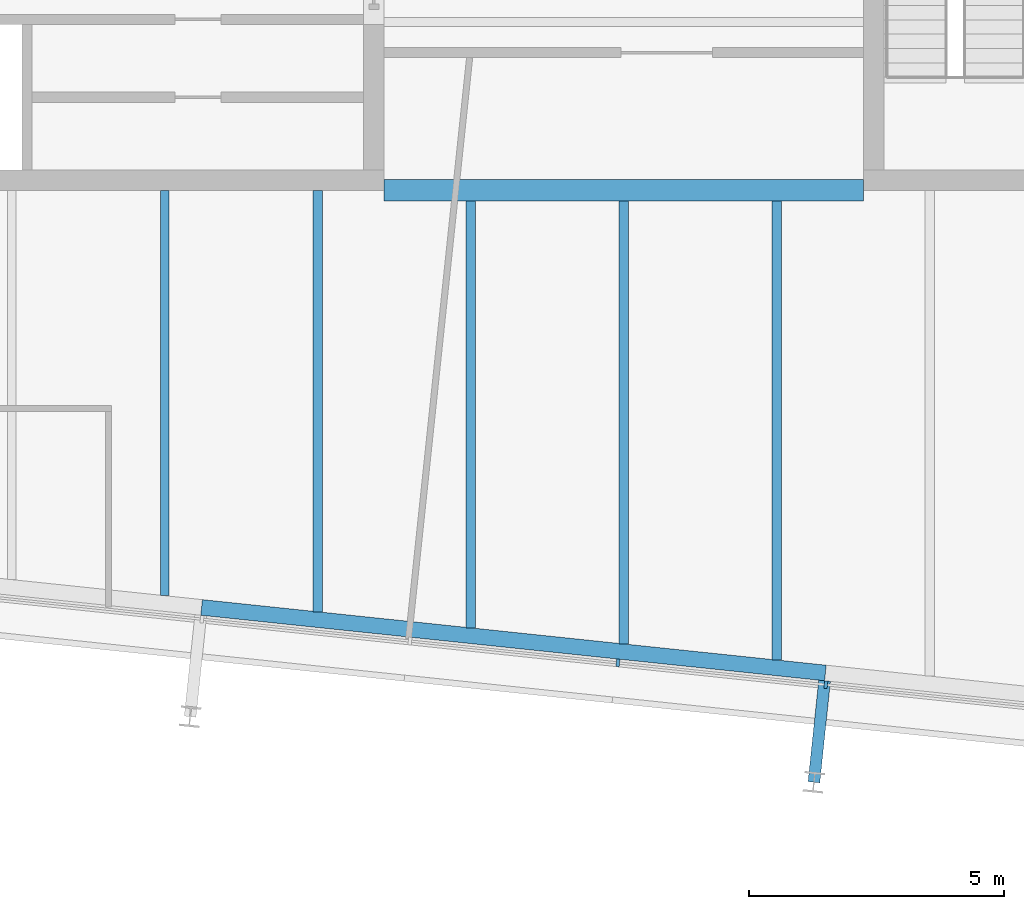
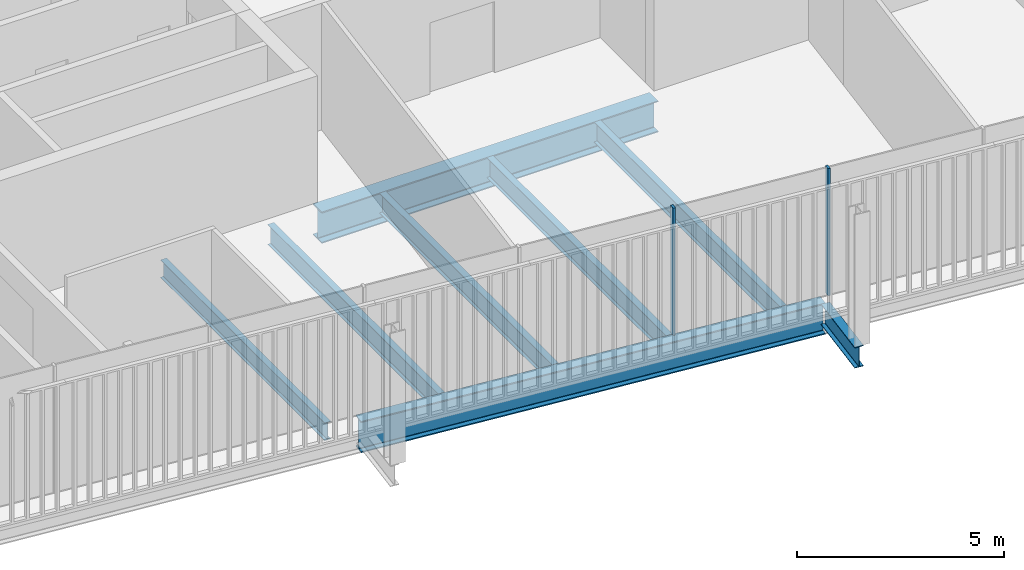
# One storey, part 5 of 20: 8 beams, 2 members, 1 element without a shape of its own.
"""IFC4 building model written with IfcOpenShell, lengths in metres."""

import ifcopenshell
import ifcopenshell.guid

model = None  # the IFC model being written
_history = None  # IfcOwnerHistory: only IFC2X3 demands one
_inside = {}  # id of a spatial element -> (the spatial element, [elements in it])
_under = {}  # id of a project, library or spatial element -> (it, [spatial elements below it])
_declared = {}  # id of a project -> (the project, [libraries it declares])
_typed = {}  # id of a type object -> (the type object, [elements of that type])
_made_of = {}  # id of a material, layer set ... -> (it, [elements and type objects made of it])


def new_model(schema):
    """Start an empty IFC model of exactly this schema.

    Asked for "IFC4X3", IfcOpenShell would pick the latest addendum, in which some entities
    have other attributes; the version numbers below select the first issue.
    IFC2X3 requires an IfcOwnerHistory on every rooted entity: one is made here for all.
    """
    global model, _history
    if schema == "IFC4X3":
        model = ifcopenshell.file(schema_version=(4, 3, 0, 0))
    else:
        model = ifcopenshell.file(schema=schema)
    _inside.clear()
    _under.clear()
    _declared.clear()
    _typed.clear()
    _made_of.clear()
    _history = None
    if model.schema == "IFC2X3":
        org = make("IfcOrganization", Name="unknown")
        user = make(
            "IfcPersonAndOrganization",
            ThePerson=make("IfcPerson", FamilyName="unknown"),
            TheOrganization=org,
        )
        app = make(
            "IfcApplication",
            ApplicationDeveloper=org,
            Version="unknown",
            ApplicationFullName="unknown",
            ApplicationIdentifier="unknown",
        )
        _history = make(
            "IfcOwnerHistory",
            OwningUser=user,
            OwningApplication=app,
            ChangeAction="ADDED",
            CreationDate=0,
        )
    return model


def make(cls, **values):
    """One entity of the class cls with the attributes given. An attribute that is None is left unset."""
    return model.create_entity(
        cls, **{name: value for name, value in values.items() if value is not None}
    )


def rooted(cls, **values):
    """An entity with a GlobalId (a new one), such as an element, a storey or a relation."""
    return make(cls, GlobalId=ifcopenshell.guid.new(), OwnerHistory=_history, **values)


def si_unit(unit_type, name, prefix=None):
    """IfcSIUnit, for example si_unit("LENGTHUNIT", "METRE", prefix="MILLI")."""
    return make("IfcSIUnit", UnitType=unit_type, Prefix=prefix, Name=name)


def assignment(units):
    """IfcUnitAssignment: the units of a project."""
    return None if units is None else make("IfcUnitAssignment", Units=units)


def point(xyz):
    """IfcCartesianPoint."""
    return None if xyz is None else make("IfcCartesianPoint", Coordinates=xyz)


def direction(xyz):
    """IfcDirection."""
    return None if xyz is None else make("IfcDirection", DirectionRatios=xyz)


def frame(location, z_axis=None, x_axis=None):
    """IfcAxis2Placement3D, a coordinate frame: its origin and axes. An axis left out is left unset."""
    return make(
        "IfcAxis2Placement3D",
        Location=point(location),
        Axis=direction(z_axis),
        RefDirection=direction(x_axis),
    )


def frame_2d(location, x_axis=None):
    """IfcAxis2Placement2D, a coordinate frame in the plane: its origin and x axis."""
    return make(
        "IfcAxis2Placement2D", Location=point(location), RefDirection=direction(x_axis)
    )


def origin():
    """The frame at (0, 0, 0) with its axes left unset."""
    return frame((0.0, 0.0, 0.0))


def origin_2d():
    """The frame at (0, 0) in the plane with its x axis left unset."""
    return frame_2d((0.0, 0.0))


def place(relative_to, where):
    """IfcLocalPlacement: puts the frame where relative to a parent placement (None: the world)."""
    return make(
        "IfcLocalPlacement", PlacementRelTo=relative_to, RelativePlacement=where
    )


def context(
    kind, dimensions, precision=None, world=None, true_north=None, identifier=None
):
    """IfcGeometricRepresentationContext, for example the 3D "Model" context."""
    return make(
        "IfcGeometricRepresentationContext",
        ContextIdentifier=identifier,
        ContextType=kind,
        CoordinateSpaceDimension=dimensions,
        Precision=precision,
        WorldCoordinateSystem=world,
        TrueNorth=true_north,
    )


def subcontext(parent, identifier, kind, view, scale=None):
    """IfcGeometricRepresentationSubContext, for example "Body" below "Model"."""
    return make(
        "IfcGeometricRepresentationSubContext",
        ContextIdentifier=identifier,
        ContextType=kind,
        ParentContext=parent,
        TargetScale=scale,
        TargetView=view,
    )


def project(units=None, contexts=None):
    """IfcProject with its units and contexts."""
    return rooted(
        "IfcProject",
        Name="project",
        RepresentationContexts=contexts,
        UnitsInContext=assignment(units),
    )


def spatial(cls, under=None, at=None, **own):
    """A site, building, storey or space (cls), placed at a placement, below another one or the project."""
    s = rooted(cls, ObjectPlacement=at, **own)
    if under is not None:
        _under.setdefault(under.id(), (under, []))[1].append(s)
    return s


def profile(cls, at=None, kind="AREA", **sizes):
    """A parametric profile (cls). Its sizes go by their IFC names, for example OverallWidth=200.0."""
    return make(cls, ProfileType=kind, Position=at, **sizes)


def rectangle(**sizes):
    """IfcRectangleProfileDef."""
    return profile("IfcRectangleProfileDef", **sizes)


def i_section(**sizes):
    """IfcIShapeProfileDef."""
    return profile("IfcIShapeProfileDef", **sizes)


def extrude(swept, where, along, depth):
    """IfcExtrudedAreaSolid: the profile swept, set in the frame where, extruded along a direction by depth."""
    return make(
        "IfcExtrudedAreaSolid",
        SweptArea=swept,
        Position=where,
        ExtrudedDirection=direction(along),
        Depth=depth,
    )


def shape(context_of_items, identifier, shape_type, items):
    """IfcShapeRepresentation: the items that make up one representation, for example the "Body"."""
    return make(
        "IfcShapeRepresentation",
        ContextOfItems=context_of_items,
        RepresentationIdentifier=identifier,
        RepresentationType=shape_type,
        Items=items,
    )


def material(Name=None, Category=None):
    """IfcMaterial."""
    return make("IfcMaterial", Name=Name, Category=Category)


def layer(
    of_material, thickness, ventilated=None, Name=None, Category=None, Priority=None
):
    """IfcMaterialLayer: one layer of a wall or slab, of a material (None: an air gap)."""
    return make(
        "IfcMaterialLayer",
        Material=of_material,
        LayerThickness=thickness,
        IsVentilated=ventilated,
        Name=Name,
        Category=Category,
        Priority=Priority,
    )


def layer_set(layers, Name=None):
    """IfcMaterialLayerSet."""
    return make("IfcMaterialLayerSet", MaterialLayers=layers, LayerSetName=Name)


def material_profile(
    of_material, cross_section, Name=None, Category=None, Priority=None
):
    """IfcMaterialProfile: a cross section and its material."""
    return make(
        "IfcMaterialProfile",
        Name=Name,
        Material=of_material,
        Profile=cross_section,
        Priority=Priority,
        Category=Category,
    )


def profile_set(profiles, Name=None, composite=None):
    """IfcMaterialProfileSet."""
    return make(
        "IfcMaterialProfileSet",
        Name=Name,
        MaterialProfiles=profiles,
        CompositeProfile=composite,
    )


def made_of(thing, what):
    """Note that an element or type object is made of a material, layer set ...; save() writes the relation."""
    if what is not None:
        _made_of.setdefault(what.id(), (what, []))[1].append(thing)
    return thing


def type_object(cls, material=None, **own):
    """A type object (cls), such as IfcWallType, which elements share."""
    return made_of(rooted(cls, **own), material)


def element(
    cls,
    number,
    at=None,
    inside=None,
    cuts=None,
    type_object=None,
    material=None,
    context=None,
    identifier="Body",
    shape_type=None,
    held_by="IfcProductDefinitionShape",
    body=None,
    shapes=None,
    **own,
):
    """One element of the class cls, such as IfcWall. Its Tag is "e" and its number.

    at: its placement. inside: the storey or other place that contains it. cuts: it is an
    opening in that element (IfcRelVoidsElement). A single representation is given by context,
    identifier, shape_type and body (its items); several are given by shapes. held_by: the class
    of the entity that holds the representations. save() writes the other relations.
    """
    e = rooted(cls, Tag="e%d" % number, ObjectPlacement=at, **own)
    if body is not None:
        shapes = [shape(context, identifier, shape_type, body)]
    if shapes is not None:
        e.Representation = make(held_by, Representations=shapes)
    if inside is not None:
        _inside.setdefault(inside.id(), (inside, []))[1].append(e)
    if cuts is not None:
        rooted(
            "IfcRelVoidsElement", RelatingBuildingElement=cuts, RelatedOpeningElement=e
        )
    if type_object is not None:
        _typed.setdefault(type_object.id(), (type_object, []))[1].append(e)
    return made_of(e, material)


def aggregate(whole, parts):
    """IfcRelAggregates: a whole, such as a stair, and the parts it consists of."""
    return rooted("IfcRelAggregates", RelatingObject=whole, RelatedObjects=parts)


def save(model, path):
    """Write the relations noted so far, then the file.

    IfcRelAggregates (storeys below a building ...), IfcRelContainedInSpatialStructure (elements
    in a storey), IfcRelDefinesByType, IfcRelAssociatesMaterial and IfcRelDeclares: one each for
    every whole, place, type object, material and project.
    """
    for whole, parts in _under.values():
        aggregate(whole, parts)
    for where, things in _inside.values():
        rooted(
            "IfcRelContainedInSpatialStructure",
            RelatedElements=things,
            RelatingStructure=where,
        )
    for kind, things in _typed.values():
        rooted("IfcRelDefinesByType", RelatedObjects=things, RelatingType=kind)
    for what, things in _made_of.values():
        rooted("IfcRelAssociatesMaterial", RelatedObjects=things, RelatingMaterial=what)
    for by, libraries in _declared.values():
        rooted("IfcRelDeclares", RelatingContext=by, RelatedDefinitions=libraries)
    model.write(path)


model = new_model("IFC4")

# Units and contexts
model_context = context("Model", 3, precision=1e-05, world=origin(), true_north=direction((0.0, 1.0)))
body_context = subcontext(model_context, "Body", "Model", "MODEL_VIEW")
ifc_project = project(units=[si_unit("LENGTHUNIT", "METRE"), si_unit("AREAUNIT", "SQUARE_METRE"), si_unit("VOLUMEUNIT", "CUBIC_METRE"), si_unit("PLANEANGLEUNIT", "RADIAN"), si_unit("MASSUNIT", "GRAM", prefix="KILO")], contexts=[model_context])

# Site, building, storey
site_placement = place(None, origin())
site = spatial("IfcSite", under=ifc_project, at=site_placement, CompositionType="ELEMENT")
building_placement = place(site_placement, origin())
building = spatial("IfcBuilding", under=site, at=building_placement, Name="Millrace Tower", CompositionType="ELEMENT")
storey_placement = place(building_placement, frame((0.0, 0.0, 303.300048828125)))
storey = spatial("IfcBuildingStorey", under=building, at=storey_placement, Name="L70", CompositionType="ELEMENT", Elevation=303.300048828125)

# Curtain wall, members
ifc_material_1 = material(Name="Aluminium and glass", Category="aluminium")
ifc_layer = layer(ifc_material_1, 0.14990234375)
ifc_layer_set = layer_set([ifc_layer], Name="Aluminium and glass")
curtain_wall_type = type_object("IfcCurtainWallType", Name="CW-1 office vision curtain wall", PredefinedType="NOTDEFINED", material=ifc_layer_set)
curtain_wall_placement = place(storey_placement, origin())
curtain_wall = element("IfcCurtainWall", 1, at=curtain_wall_placement, inside=storey, type_object=curtain_wall_type, Name="Curtain wall E-F02 L70", PredefinedType="NOTDEFINED")
ifc_material_2 = material(Name="Aluminium", Category="aluminium")
ifc_material_profile_1 = material_profile(ifc_material_2, rectangle(XDim=0.06494140625, YDim=0.14990234375, at=origin_2d()))
ifc_profile_set_1 = profile_set([ifc_material_profile_1], Name="Aluminium")
member_type = type_object("IfcMemberType", Name="CW-1 office vision curtain wall mullion", PredefinedType="MULLION", material=ifc_profile_set_1)
member_1_placement = place(storey_placement, frame((-0.11474609375, -18.567626953125, 0.139892578125), z_axis=(0.0, 0.0, 1.0), x_axis=(0.994521896217, -0.104528455196, 0.0)))
member_1 = element("IfcMember", 2, at=member_1_placement, type_object=member_type, Name="CW1 mullion E-F02.6", PredefinedType="MULLION", context=body_context, shape_type="SweptSolid", body=[
    extrude(rectangle(XDim=0.06494140625, YDim=0.14990234375, at=origin_2d()), origin(), (0.0, 0.0, 1.0), 3.760009765625),
])
member_2_placement = place(storey_placement, frame((3.962890625, -18.99609375, 0.139892578125), z_axis=(0.0, 0.0, 1.0), x_axis=(0.994521896217, -0.104528455196, 0.0)))
member_2 = element("IfcMember", 3, at=member_2_placement, type_object=member_type, Name="CW1 mullion E-F02.7", PredefinedType="MULLION", context=body_context, shape_type="SweptSolid", body=[
    extrude(rectangle(XDim=0.06494140625, YDim=0.14990234375, at=origin_2d()), origin(), (0.0, 0.0, 1.0), 3.760009765625),
])
aggregate(curtain_wall, [member_1, member_2])

# Beams
ifc_material_3 = material(Name="Steel ASTM A992 Grade 50", Category="steel")
ifc_material_profile_2 = material_profile(ifc_material_3, i_section(OverallWidth=0.1650390625, OverallDepth=0.52587890625, WebThickness=0.0087890625, FlangeThickness=0.011474609375, FilletRadius=0.0126953125, at=origin_2d()))
ifc_profile_set_2 = profile_set([ifc_material_profile_2], Name="Steel ASTM A992 Grade 50")
beam_type_1 = type_object("IfcBeamType", Name="Floor beam W21x44", PredefinedType="JOIST", material=ifc_profile_set_2)
beam_1_placement = place(storey_placement, frame((-9.0, -17.249267578125, -0.4228515625), z_axis=(0.0, 1.0, 0.0), x_axis=(-1.0, 0.0, 0.0)))
element("IfcBeam", 4, at=beam_1_placement, inside=storey, type_object=beam_type_1, Name="BM-E-L70-S1-S039", PredefinedType="JOIST", context=body_context, shape_type="SweptSolid", body=[
    extrude(i_section(OverallWidth=0.1650390625, OverallDepth=0.52587890625, WebThickness=0.0087890625, FlangeThickness=0.011474609375, FilletRadius=0.0126953125, at=origin_2d()), origin(), (0.0, 0.0, 1.0), 7.94921875),
])
ifc_material_4 = material(Name="Steel ASTM A992 Grade 50", Category="steel")
ifc_material_profile_3 = material_profile(ifc_material_4, i_section(OverallWidth=0.177978515625, OverallDepth=0.599365234375, WebThickness=0.010009765625, FlangeThickness=0.012939453125, FilletRadius=0.012939453125, at=origin_2d()))
ifc_profile_set_3 = profile_set([ifc_material_profile_3], Name="Steel ASTM A992 Grade 50")
beam_type_2 = type_object("IfcBeamType", Name="Floor beam W24x55", PredefinedType="JOIST", material=ifc_profile_set_3)
beam_2_placement = place(storey_placement, frame((-6.0, -17.564697265625, -0.459716796875), z_axis=(0.0, 1.0, 0.0), x_axis=(-1.0, 0.0, 0.0)))
element("IfcBeam", 5, at=beam_2_placement, inside=storey, type_object=beam_type_2, Name="BM-E-L70-S1-S041", PredefinedType="JOIST", context=body_context, shape_type="SweptSolid", body=[
    extrude(i_section(OverallWidth=0.177978515625, OverallDepth=0.599365234375, WebThickness=0.010009765625, FlangeThickness=0.012939453125, FilletRadius=0.012939453125, at=origin_2d()), origin(), (0.0, 0.0, 1.0), 8.2646484375),
])
beam_3_placement = place(storey_placement, frame((-3.0, -17.8798828125, -0.459716796875), z_axis=(0.0, 1.0, 0.0), x_axis=(-1.0, 0.0, 0.0)))
element("IfcBeam", 6, at=beam_3_placement, inside=storey, type_object=beam_type_2, Name="BM-E-L70-S1-S043", PredefinedType="JOIST", context=body_context, shape_type="SweptSolid", body=[
    extrude(i_section(OverallWidth=0.177978515625, OverallDepth=0.599365234375, WebThickness=0.010009765625, FlangeThickness=0.012939453125, FilletRadius=0.012939453125, at=origin_2d()), origin(), (0.0, 0.0, 1.0), 8.370361328125),
])
beam_4_placement = place(storey_placement, frame((0.0, -18.1953125, -0.459716796875), z_axis=(0.0, 1.0, 0.0), x_axis=(-1.0, 0.0, 0.0)))
element("IfcBeam", 7, at=beam_4_placement, inside=storey, type_object=beam_type_2, Name="BM-E-L70-S1-S045", PredefinedType="JOIST", context=body_context, shape_type="SweptSolid", body=[
    extrude(i_section(OverallWidth=0.177978515625, OverallDepth=0.599365234375, WebThickness=0.010009765625, FlangeThickness=0.012939453125, FilletRadius=0.012939453125, at=origin_2d()), origin(), (0.0, 0.0, 1.0), 8.685791015625),
])
beam_5_placement = place(storey_placement, frame((3.0, -18.510498046875, -0.459716796875), z_axis=(0.0, 1.0, 0.0), x_axis=(-1.0, 0.0, 0.0)))
element("IfcBeam", 8, at=beam_5_placement, inside=storey, type_object=beam_type_2, Name="BM-E-L70-S1-S047", PredefinedType="JOIST", context=body_context, shape_type="SweptSolid", body=[
    extrude(i_section(OverallWidth=0.177978515625, OverallDepth=0.599365234375, WebThickness=0.010009765625, FlangeThickness=0.012939453125, FilletRadius=0.012939453125, at=origin_2d()), origin(), (0.0, 0.0, 1.0), 9.0009765625),
])
ifc_material_5 = material(Name="Steel ASTM A992 Grade 50", Category="steel")
ifc_material_profile_4 = material_profile(ifc_material_5, i_section(OverallWidth=0.419189453125, OverallDepth=0.927001953125, WebThickness=0.019287109375, FlangeThickness=0.031982421875, FilletRadius=0.024169921875, at=origin_2d()))
ifc_profile_set_4 = profile_set([ifc_material_profile_4], Name="Steel ASTM A992 Grade 50")
beam_type_3 = type_object("IfcBeamType", Name="Girder short span W36x231", PredefinedType="BEAM", material=ifc_profile_set_4)
beam_6_placement = place(storey_placement, frame((-4.699951171875, -9.300048828125, -0.62353515625), z_axis=(1.0, 0.0, 0.0), x_axis=(0.0, 1.0, 0.0)))
element("IfcBeam", 9, at=beam_6_placement, inside=storey, type_object=beam_type_3, Name="BM-E-L70-S1-G059", PredefinedType="BEAM", context=body_context, shape_type="SweptSolid", body=[
    extrude(i_section(OverallWidth=0.419189453125, OverallDepth=0.927001953125, WebThickness=0.019287109375, FlangeThickness=0.031982421875, FilletRadius=0.024169921875, at=origin_2d()), origin(), (0.0, 0.0, 1.0), 9.39990234375),
])
ifc_material_6 = material(Name="Steel ASTM A992 Grade 50", Category="steel")
ifc_material_profile_5 = material_profile(ifc_material_6, i_section(OverallWidth=0.23046875, OverallDepth=0.6171875, WebThickness=0.01318359375, FlangeThickness=0.022216796875, FilletRadius=0.012939453125, at=origin_2d()))
ifc_profile_set_5 = profile_set([ifc_material_profile_5], Name="Steel ASTM A992 Grade 50")
beam_type_4 = type_object("IfcBeamType", Name="Link beam W24x94", PredefinedType="BEAM", material=ifc_profile_set_5)
beam_7_placement = place(storey_placement, frame((3.938232421875, -18.918212890625, -0.46875), z_axis=(-0.104494148666, -0.99452550138, 0.0), x_axis=(0.99452550138, -0.104494148666, 0.0)))
element("IfcBeam", 10, at=beam_7_placement, inside=storey, type_object=beam_type_4, Name="LNK-E-L70-S1-14", PredefinedType="BEAM", context=body_context, shape_type="SweptSolid", body=[
    extrude(i_section(OverallWidth=0.23046875, OverallDepth=0.6171875, WebThickness=0.01318359375, FlangeThickness=0.022216796875, FilletRadius=0.012939453125, at=origin_2d()), origin(), (0.0, 0.0, 1.0), 2.0),
])
ifc_material_7 = material(Name="Steel ASTM A992 Grade 50", Category="steel")
ifc_material_profile_6 = material_profile(ifc_material_7, i_section(OverallWidth=0.307373046875, OverallDepth=0.927001953125, WebThickness=0.01953125, FlangeThickness=0.031982421875, FilletRadius=0.01904296875, at=origin_2d()))
ifc_profile_set_6 = profile_set([ifc_material_profile_6], Name="Steel ASTM A992 Grade 50")
beam_type_5 = type_object("IfcBeamType", Name="Ring beam medium span W36x194", PredefinedType="SPANDREL", material=ifc_profile_set_6)
beam_8_placement = place(storey_placement, frame((3.954345703125, -18.765380859375, -0.62353515625), z_axis=(-0.994522406476, 0.104523600289, 0.0), x_axis=(-0.104523600289, -0.994522406476, 0.0)))
element("IfcBeam", 11, at=beam_8_placement, inside=storey, type_object=beam_type_5, Name="RNG-E-L70-S1-14", PredefinedType="SPANDREL", context=body_context, shape_type="SweptSolid", body=[
    extrude(i_section(OverallWidth=0.307373046875, OverallDepth=0.927001953125, WebThickness=0.01953125, FlangeThickness=0.031982421875, FilletRadius=0.01904296875, at=origin_2d()), origin(), (0.0, 0.0, 1.0), 12.300048828125),
])

save(model, "model.ifc")
